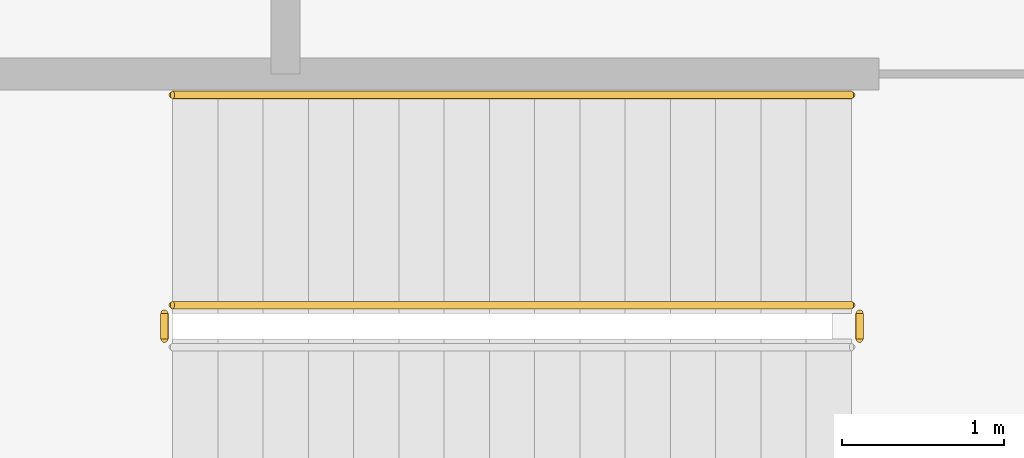
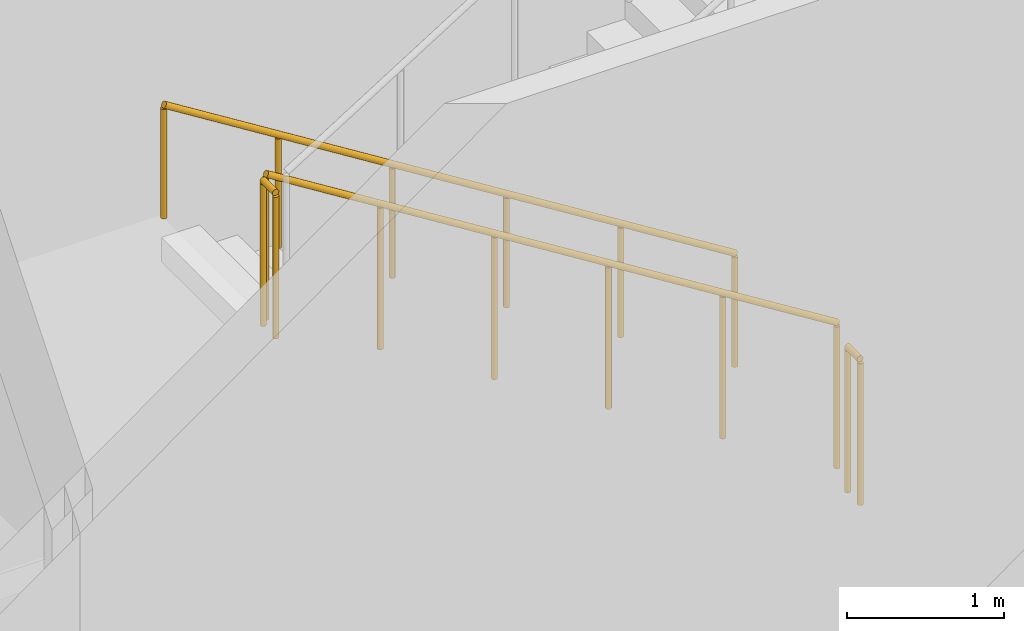
# One storey, part 18 of 21: 4 railings.
"""IFC4 building model written with IfcOpenShell, lengths in metres."""

from ifc_helpers import new_model, si_unit, direction, frame, origin, origin_2d, place, context, subcontext, project, spatial, circle, extrude, material, type_object, element, save


model = new_model("IFC4")

# Units and contexts
model_context = context("Model", 3, precision=1e-05, world=origin(), true_north=direction((0.0, 1.0)))
body_context = subcontext(model_context, "Body", "Model", "MODEL_VIEW")
ifc_project = project(units=[si_unit("LENGTHUNIT", "METRE"), si_unit("AREAUNIT", "SQUARE_METRE"), si_unit("VOLUMEUNIT", "CUBIC_METRE"), si_unit("PLANEANGLEUNIT", "RADIAN"), si_unit("MASSUNIT", "GRAM", prefix="KILO")], contexts=[model_context])

# Site, building, storey
site_placement = place(None, origin())
site = spatial("IfcSite", under=ifc_project, at=site_placement, CompositionType="ELEMENT")
building_placement = place(site_placement, origin())
building = spatial("IfcBuilding", under=site, at=building_placement, Name="Drelvath Grand Hotel", CompositionType="ELEMENT")
storey_placement = place(building_placement, origin())
storey = spatial("IfcBuildingStorey", under=building, at=storey_placement, Name="L00", CompositionType="ELEMENT", Elevation=0.0)

# Railings
ifc_material = material(Name="Painted Steel S275", Category="steel")
railing_type_1 = type_object("IfcRailingType", Name="Core Stair Wall Handrail 900", PredefinedType="HANDRAIL", material=ifc_material)
railing_1_placement = place(storey_placement, frame((6.60009765625, 28.030029296875, 0.175048828125)))
element("IfcRailing", 1, at=railing_1_placement, inside=storey, type_object=railing_type_1, Name="L00 ST-2 stair handrail 1", PredefinedType="HANDRAIL", context=body_context, shape_type="SweptSolid", body=[
    extrude(circle(Radius=0.02392578125, at=origin_2d()), frame((0.0, 0.0, 0.8759765625), z_axis=(-0.848009380541, 0.0, 0.529981217134), x_axis=(0.0, -1.0, 0.0)), (0.0, 0.0, 1.0), 4.953125),
    extrude(circle(Radius=0.02099609375, at=origin_2d()), origin(), (0.0, 0.0, 1.0), 0.851806640625),
    extrude(circle(Radius=0.02099609375, at=origin_2d()), frame((-0.840087890625, 0.0, 0.52490234375)), (0.0, 0.0, 1.0), 0.851806640625),
    extrude(circle(Radius=0.02099609375, at=origin_2d()), frame((-1.68017578125, 0.0, 1.050048828125)), (0.0, 0.0, 1.0), 0.851806640625),
    extrude(circle(Radius=0.02099609375, at=origin_2d()), frame((-2.52001953125, 0.0, 1.574951171875)), (0.0, 0.0, 1.0), 0.851806640625),
    extrude(circle(Radius=0.02099609375, at=origin_2d()), frame((-3.360107421875, 0.0, 2.10009765625)), (0.0, 0.0, 1.0), 0.851806640625),
    extrude(circle(Radius=0.02099609375, at=origin_2d()), frame((-4.2001953125, 0.0, 2.625)), (0.0, 0.0, 1.0), 0.851806640625),
])
railing_type_2 = type_object("IfcRailingType", Name="Core Stair Well Guardrail 1100", PredefinedType="GUARDRAIL", material=ifc_material)
railing_2_placement = place(storey_placement, frame((6.60009765625, 26.72998046875, 0.175048828125)))
element("IfcRailing", 2, at=railing_2_placement, inside=storey, type_object=railing_type_2, Name="L00 ST-2 stair guard 1", PredefinedType="GUARDRAIL", context=body_context, shape_type="SweptSolid", body=[
    extrude(circle(Radius=0.02392578125, at=origin_2d()), frame((0.0, 0.0, 1.1259765625), z_axis=(-0.848009380541, 0.0, 0.529981217134), x_axis=(0.0, -1.0, 0.0)), (0.0, 0.0, 1.0), 4.953125),
    extrude(circle(Radius=0.02099609375, at=origin_2d()), origin(), (0.0, 0.0, 1.0), 1.101806640625),
    extrude(circle(Radius=0.02099609375, at=origin_2d()), frame((-0.840087890625, 0.0, 0.52490234375)), (0.0, 0.0, 1.0), 1.101806640625),
    extrude(circle(Radius=0.02099609375, at=origin_2d()), frame((-1.68017578125, 0.0, 1.050048828125)), (0.0, 0.0, 1.0), 1.101806640625),
    extrude(circle(Radius=0.02099609375, at=origin_2d()), frame((-2.52001953125, 0.0, 1.574951171875)), (0.0, 0.0, 1.0), 1.101806640625),
    extrude(circle(Radius=0.02099609375, at=origin_2d()), frame((-3.360107421875, 0.0, 2.10009765625)), (0.0, 0.0, 1.0), 1.101806640625),
    extrude(circle(Radius=0.02099609375, at=origin_2d()), frame((-4.2001953125, 0.0, 2.625)), (0.0, 0.0, 1.0), 1.101806640625),
])
for number, where, name in (
    (3, (2.35009765625, 26.679931640625, 2.800048828125), "L00 ST-2 stair guard 2"),
    (4, (6.64990234375, 26.679931640625, 0.0), "L00 ST-2 stair guard 4"),
):
    element("IfcRailing", number, at=place(storey_placement, frame(where)), inside=storey, type_object=railing_type_2, Name=name, PredefinedType="GUARDRAIL", context=body_context, shape_type="SweptSolid", body=[
        extrude(circle(Radius=0.02392578125, at=origin_2d()), frame((0.0, 0.0, 1.1259765625), z_axis=(0.0, -1.0, 0.0), x_axis=(1.0, 0.0, 0.0)), (0.0, 0.0, 1.0), 0.159912109375),
        extrude(circle(Radius=0.02099609375, at=origin_2d()), origin(), (0.0, 0.0, 1.0), 1.101806640625),
        extrude(circle(Radius=0.02099609375, at=origin_2d()), frame((0.0, -0.159912109375, 0.0)), (0.0, 0.0, 1.0), 1.101806640625),
    ])

save(model, "model.ifc")
